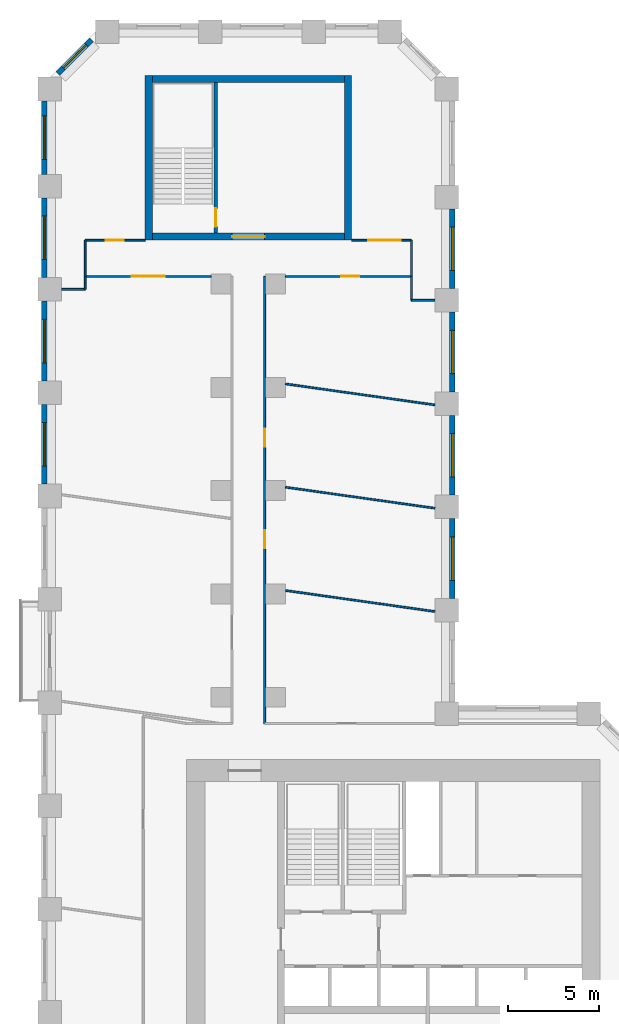
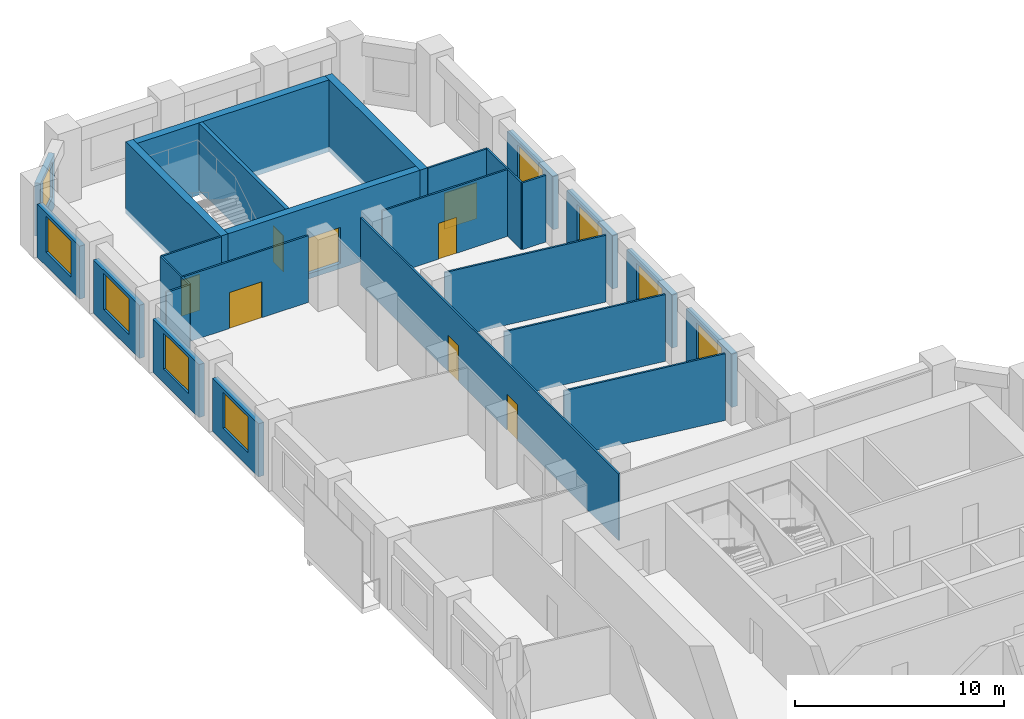
# One storey, part 8 of 10: 28 walls, 9 windows, 8 doors, 17 openings.
"""IFC4 building model written with IfcOpenShell, lengths in metres."""

from ifc_helpers import new_model, si_unit, direction, frame, frame_2d, origin, place, context, subcontext, project, spatial, rectangle, extrude, material, layer, layer_set, type_object, element, fill, save


model = new_model("IFC4")

# Units and contexts
model_context = context("Model", 3, precision=1e-05, world=origin(), true_north=direction((0.0, 1.0)))
body_context = subcontext(model_context, "Body", "Model", "MODEL_VIEW")
ifc_project = project(units=[si_unit("LENGTHUNIT", "METRE"), si_unit("AREAUNIT", "SQUARE_METRE"), si_unit("VOLUMEUNIT", "CUBIC_METRE"), si_unit("PLANEANGLEUNIT", "RADIAN"), si_unit("MASSUNIT", "GRAM", prefix="KILO")], contexts=[model_context])

# Site, building, storey
site_placement = place(None, origin())
site = spatial("IfcSite", under=ifc_project, at=site_placement, CompositionType="ELEMENT")
building_placement = place(site_placement, origin())
building = spatial("IfcBuilding", under=site, at=building_placement, Name="Meshkara Civic Tower", CompositionType="ELEMENT")
storey_placement = place(building_placement, frame((0.0, 0.0, 118.199951171875)))
storey = spatial("IfcBuildingStorey", under=building, at=storey_placement, Name="L26", CompositionType="ELEMENT", Elevation=118.199951171875)

# Wall, opening, door
ifc_material_1 = material(Name="Corridor wall 100")
ifc_layer_1 = layer(ifc_material_1, 0.10009765625)
ifc_layer_set_1 = layer_set([ifc_layer_1], Name="Corridor wall 100")
wall_type_1 = type_object("IfcWallType", Name="Corridor wall 100", PredefinedType="PARTITIONING", material=ifc_layer_set_1)
wall_1_placement = place(storey_placement, frame((2.39990234375, 63.570068359375, 0.0), z_axis=(0.0, 0.0, 1.0), x_axis=(1.0, 0.0, 0.0)))
wall_1 = element("IfcWall", 1, at=wall_1_placement, inside=storey, type_object=wall_type_1, Name="L26-W001", PredefinedType="PARTITIONING", context=body_context, shape_type="SweptSolid", body=[
    extrude(rectangle(XDim=6.9501953125, YDim=0.10009765625, at=frame_2d((3.47509765625, 0.0))), origin(), (0.0, 0.0, 1.0), 3.900146484375),
])
opening_1_placement = place(wall_1_placement, frame((2.580078125, 0.0, 0.0)))
opening_1 = element("IfcOpeningElement", 2, at=opening_1_placement, cuts=wall_1, Name="Opening L26-D022", PredefinedType="OPENING", context=body_context, shape_type="SweptSolid", body=[
    extrude(rectangle(XDim=1.800048828125, YDim=2.10009765625, at=frame_2d((0.89990234375, 1.050048828125))), frame((0.0, 0.06005859375, 0.0), z_axis=(0.0, -1.0, 0.0), x_axis=(1.0, 0.0, 0.0)), (0.0, 0.0, 1.0), 0.1201171875),
])
ifc_material_2 = material(Name="Door pair 1800 x 2100")
door_type_1 = type_object("IfcDoorType", Name="Door pair 1800 x 2100", OperationType="SINGLE_SWING_LEFT", PredefinedType="DOOR", material=ifc_material_2)
door_1_placement = place(opening_1_placement, origin())
door_1 = element("IfcDoor", 3, at=door_1_placement, inside=storey, type_object=door_type_1, Name="L26-D022", OperationType="DOUBLE_DOOR_SINGLE_SWING", OverallHeight=2.10009765625, OverallWidth=1.800048828125, PredefinedType="DOOR", context=body_context, shape_type="SweptSolid", body=[
    extrude(rectangle(XDim=1.800048828125, YDim=2.10009765625, at=frame_2d((0.89990234375, 1.050048828125))), frame((0.0, 0.02490234375, 0.0), z_axis=(0.0, -1.0, 0.0), x_axis=(1.0, 0.0, 0.0)), (0.0, 0.0, 1.0), 0.050048828125),
])
fill(opening_1, door_1)

# Wall
wall_2_placement = place(storey_placement, frame((2.39990234375, 65.570068359375, 0.0), z_axis=(0.0, 0.0, 1.0), x_axis=(0.0, -1.0, 0.0)))
element("IfcWall", 4, at=wall_2_placement, inside=storey, type_object=wall_type_1, Name="L26-W002", PredefinedType="PARTITIONING", context=body_context, shape_type="SweptSolid", body=[
    extrude(rectangle(XDim=2.0, YDim=0.10009765625, at=frame_2d((1.0, 0.0))), origin(), (0.0, 0.0, 1.0), 3.900146484375),
])

# Wall, opening, door
wall_3_placement = place(storey_placement, frame((5.699951171875, 65.570068359375, 0.0), z_axis=(0.0, 0.0, 1.0), x_axis=(-1.0, 0.0, 0.0)))
wall_3 = element("IfcWall", 5, at=wall_3_placement, inside=storey, type_object=wall_type_1, Name="L26-W005", PredefinedType="PARTITIONING", context=body_context, shape_type="SweptSolid", body=[
    extrude(rectangle(XDim=3.300048828125, YDim=0.10009765625, at=frame_2d((1.64990234375, 0.0))), origin(), (0.0, 0.0, 1.0), 3.900146484375),
])
opening_2_placement = place(wall_3_placement, frame((1.179931640625, 0.0, 0.0)))
opening_2 = element("IfcOpeningElement", 6, at=opening_2_placement, cuts=wall_3, Name="Opening L26-D021", PredefinedType="OPENING", context=body_context, shape_type="SweptSolid", body=[
    extrude(rectangle(XDim=1.0, YDim=2.10009765625, at=frame_2d((0.5, 1.050048828125))), frame((0.0, 0.06005859375, 0.0), z_axis=(0.0, -1.0, 0.0), x_axis=(1.0, 0.0, 0.0)), (0.0, 0.0, 1.0), 0.1201171875),
])
ifc_material_3 = material(Name="Door 1000 x 2100")
door_type_2 = type_object("IfcDoorType", Name="Door 1000 x 2100", OperationType="SINGLE_SWING_LEFT", PredefinedType="DOOR", material=ifc_material_3)
door_2_placement = place(opening_2_placement, origin())
door_2 = element("IfcDoor", 7, at=door_2_placement, inside=storey, type_object=door_type_2, Name="L26-D021", OperationType="SINGLE_SWING_LEFT", OverallHeight=2.10009765625, OverallWidth=1.0, PredefinedType="DOOR", context=body_context, shape_type="SweptSolid", body=[
    extrude(rectangle(XDim=1.0, YDim=2.10009765625, at=frame_2d((0.5, 1.050048828125))), frame((0.0, 0.02490234375, 0.0), z_axis=(0.0, -1.0, 0.0), x_axis=(1.0, 0.0, 0.0)), (0.0, 0.0, 1.0), 0.050048828125),
])
fill(opening_2, door_2)

# Wall, openings, doors
wall_4_placement = place(storey_placement, frame((12.300048828125, 38.89990234375, 0.0), z_axis=(0.0, 0.0, 1.0), x_axis=(0.0, 1.0, 0.0)))
wall_4 = element("IfcWall", 8, at=wall_4_placement, inside=storey, type_object=wall_type_1, Name="L26-W014", PredefinedType="PARTITIONING", context=body_context, shape_type="SweptSolid", body=[
    extrude(rectangle(XDim=24.670166015625, YDim=0.10009765625, at=frame_2d((12.3349609375, 0.0))), origin(), (0.0, 0.0, 1.0), 3.900146484375),
])
opening_3_placement = place(wall_4_placement, frame((9.673095703125, 0.0, 0.0)))
opening_3 = element("IfcOpeningElement", 9, at=opening_3_placement, cuts=wall_4, Name="Opening L26-D019", PredefinedType="OPENING", context=body_context, shape_type="SweptSolid", body=[
    extrude(rectangle(XDim=1.0, YDim=2.10009765625, at=frame_2d((0.5, 1.050048828125))), frame((0.0, 0.06005859375, 0.0), z_axis=(0.0, -1.0, 0.0), x_axis=(1.0, 0.0, 0.0)), (0.0, 0.0, 1.0), 0.1201171875),
])
opening_4_placement = place(wall_4_placement, frame((15.27294921875, 0.0, 0.0)))
opening_4 = element("IfcOpeningElement", 10, at=opening_4_placement, cuts=wall_4, Name="Opening L26-D020", PredefinedType="OPENING", context=body_context, shape_type="SweptSolid", body=[
    extrude(rectangle(XDim=1.0, YDim=2.10009765625, at=frame_2d((0.5, 1.050048828125))), frame((0.0, 0.06005859375, 0.0), z_axis=(0.0, -1.0, 0.0), x_axis=(1.0, 0.0, 0.0)), (0.0, 0.0, 1.0), 0.1201171875),
])
door_3_placement = place(opening_3_placement, origin())
door_3 = element("IfcDoor", 11, at=door_3_placement, inside=storey, type_object=door_type_2, Name="L26-D019", OperationType="SINGLE_SWING_RIGHT", OverallHeight=2.10009765625, OverallWidth=1.0, PredefinedType="DOOR", context=body_context, shape_type="SweptSolid", body=[
    extrude(rectangle(XDim=1.0, YDim=2.10009765625, at=frame_2d((0.5, 1.050048828125))), frame((0.0, 0.02490234375, 0.0), z_axis=(0.0, -1.0, 0.0), x_axis=(1.0, 0.0, 0.0)), (0.0, 0.0, 1.0), 0.050048828125),
])
fill(opening_3, door_3)
door_4_placement = place(opening_4_placement, origin())
door_4 = element("IfcDoor", 12, at=door_4_placement, inside=storey, type_object=door_type_2, Name="L26-D020", OperationType="SINGLE_SWING_RIGHT", OverallHeight=2.10009765625, OverallWidth=1.0, PredefinedType="DOOR", context=body_context, shape_type="SweptSolid", body=[
    extrude(rectangle(XDim=1.0, YDim=2.10009765625, at=frame_2d((0.5, 1.050048828125))), frame((0.0, 0.02490234375, 0.0), z_axis=(0.0, -1.0, 0.0), x_axis=(1.0, 0.0, 0.0)), (0.0, 0.0, 1.0), 0.050048828125),
])
fill(opening_4, door_4)

# Wall, opening, door
wall_5_placement = place(storey_placement, frame((13.449951171875, 63.570068359375, 0.0), z_axis=(0.0, 0.0, 1.0), x_axis=(1.0, 0.0, 0.0)))
wall_5 = element("IfcWall", 13, at=wall_5_placement, inside=storey, type_object=wall_type_1, Name="L26-W016", PredefinedType="PARTITIONING", context=body_context, shape_type="SweptSolid", body=[
    extrude(rectangle(XDim=6.949951171875, YDim=0.10009765625, at=frame_2d((3.47509765625, 0.0))), origin(), (0.0, 0.0, 1.0), 3.900146484375),
])
opening_5_placement = place(wall_5_placement, frame((3.080078125, 0.0, 0.0)))
opening_5 = element("IfcOpeningElement", 14, at=opening_5_placement, cuts=wall_5, Name="Opening L26-D023", PredefinedType="OPENING", context=body_context, shape_type="SweptSolid", body=[
    extrude(rectangle(XDim=1.0, YDim=2.10009765625, at=frame_2d((0.5, 1.050048828125))), frame((0.0, 0.06005859375, 0.0), z_axis=(0.0, -1.0, 0.0), x_axis=(1.0, 0.0, 0.0)), (0.0, 0.0, 1.0), 0.1201171875),
])
door_5_placement = place(opening_5_placement, origin())
door_5 = element("IfcDoor", 15, at=door_5_placement, inside=storey, type_object=door_type_2, Name="L26-D023", OperationType="SINGLE_SWING_LEFT", OverallHeight=2.10009765625, OverallWidth=1.0, PredefinedType="DOOR", context=body_context, shape_type="SweptSolid", body=[
    extrude(rectangle(XDim=1.0, YDim=2.10009765625, at=frame_2d((0.5, 1.050048828125))), frame((0.0, 0.02490234375, 0.0), z_axis=(0.0, -1.0, 0.0), x_axis=(1.0, 0.0, 0.0)), (0.0, 0.0, 1.0), 0.050048828125),
])
fill(opening_5, door_5)

# Wall
wall_6_placement = place(storey_placement, frame((20.39990234375, 63.570068359375, 0.0), z_axis=(0.0, 0.0, 1.0), x_axis=(0.0, 1.0, 0.0)))
element("IfcWall", 16, at=wall_6_placement, inside=storey, type_object=wall_type_1, Name="L26-W017", PredefinedType="PARTITIONING", context=body_context, shape_type="SweptSolid", body=[
    extrude(rectangle(XDim=2.0, YDim=0.10009765625, at=frame_2d((1.0, 0.0))), origin(), (0.0, 0.0, 1.0), 3.900146484375),
])

# Wall, opening, door
wall_7_placement = place(storey_placement, frame((20.39990234375, 65.570068359375, 0.0), z_axis=(0.0, 0.0, 1.0), x_axis=(-1.0, 0.0, 0.0)))
wall_7 = element("IfcWall", 17, at=wall_7_placement, inside=storey, type_object=wall_type_1, Name="L26-W018", PredefinedType="PARTITIONING", context=body_context, shape_type="SweptSolid", body=[
    extrude(rectangle(XDim=3.2998046875, YDim=0.10009765625, at=frame_2d((1.64990234375, 0.0))), origin(), (0.0, 0.0, 1.0), 3.900146484375),
])
opening_6_placement = place(wall_7_placement, frame((0.580078125, 0.0, 0.0)))
opening_6 = element("IfcOpeningElement", 18, at=opening_6_placement, cuts=wall_7, Name="Opening L26-D024", PredefinedType="OPENING", context=body_context, shape_type="SweptSolid", body=[
    extrude(rectangle(XDim=1.800048828125, YDim=2.10009765625, at=frame_2d((0.89990234375, 1.050048828125))), frame((0.0, 0.06005859375, 0.0), z_axis=(0.0, -1.0, 0.0), x_axis=(1.0, 0.0, 0.0)), (0.0, 0.0, 1.0), 0.1201171875),
])
door_6_placement = place(opening_6_placement, origin())
door_6 = element("IfcDoor", 19, at=door_6_placement, inside=storey, type_object=door_type_1, Name="L26-D024", OperationType="DOUBLE_DOOR_SINGLE_SWING", OverallHeight=2.10009765625, OverallWidth=1.800048828125, PredefinedType="DOOR", context=body_context, shape_type="SweptSolid", body=[
    extrude(rectangle(XDim=1.800048828125, YDim=2.10009765625, at=frame_2d((0.89990234375, 1.050048828125))), frame((0.0, 0.02490234375, 0.0), z_axis=(0.0, -1.0, 0.0), x_axis=(1.0, 0.0, 0.0)), (0.0, 0.0, 1.0), 0.050048828125),
])
fill(opening_6, door_6)

# Wall, opening, window
ifc_material_4 = material(Name="Insulated infill panel with bronze anodised aluminium cladding", Category="aluminium")
ifc_layer_2 = layer(ifc_material_4, 0.300048828125)
ifc_layer_set_2 = layer_set([ifc_layer_2], Name="EXTERNAL INFILL WALL 300")
wall_type_2 = type_object("IfcWallType", Name="EXTERNAL INFILL WALL 300", PredefinedType="SOLIDWALL", material=ifc_layer_set_2)
wall_8_placement = place(storey_placement, frame((22.64990234375, 45.800048828125, 0.0), z_axis=(0.0, 0.0, 1.0), x_axis=(0.0, 1.0, 0.0)))
wall_8 = element("IfcWall", 20, at=wall_8_placement, inside=storey, type_object=wall_type_2, Name="External wall", PredefinedType="SOLIDWALL", context=body_context, shape_type="SweptSolid", body=[
    extrude(rectangle(XDim=4.39990234375, YDim=0.300048828125, at=frame_2d((2.199951171875, 0.0))), origin(), (0.0, 0.0, 1.0), 3.10009765625),
])
opening_7_placement = place(wall_8_placement, frame((1.0, 0.0, 0.800048828125)))
opening_7 = element("IfcOpeningElement", 21, at=opening_7_placement, cuts=wall_8, Name="Opening W7", PredefinedType="OPENING", context=body_context, shape_type="SweptSolid", body=[
    extrude(rectangle(XDim=2.39990234375, YDim=2.10009765625, at=frame_2d((1.199951171875, 1.050048828125))), frame((0.0, 0.159912109375, 0.0), z_axis=(0.0, -1.0, 0.0), x_axis=(1.0, 0.0, 0.0)), (0.0, 0.0, 1.0), 0.320068359375),
])
ifc_material_5 = material(Name="Tinted double glazing", Category="glass")
window_type_1 = type_object("IfcWindowType", Name="WINDOW 2400x2100", PartitioningType="DOUBLE_PANEL_VERTICAL", PredefinedType="WINDOW", material=ifc_material_5)
window_1_placement = place(opening_7_placement, origin())
window_1 = element("IfcWindow", 22, at=window_1_placement, inside=storey, type_object=window_type_1, Name="Window", OverallHeight=2.10009765625, OverallWidth=2.39990234375, PartitioningType="DOUBLE_PANEL_VERTICAL", PredefinedType="WINDOW", context=body_context, shape_type="SweptSolid", body=[
    extrude(rectangle(XDim=2.39990234375, YDim=2.10009765625, at=frame_2d((1.199951171875, 1.050048828125))), frame((0.0, 0.030029296875, 0.0), z_axis=(0.0, -1.0, 0.0), x_axis=(1.0, 0.0, 0.0)), (0.0, 0.0, 1.0), 0.06005859375),
])
fill(opening_7, window_1)

wall_9_placement = place(storey_placement, frame((22.64990234375, 51.5, 0.0), z_axis=(0.0, 0.0, 1.0), x_axis=(0.0, 1.0, 0.0)))
wall_9 = element("IfcWall", 23, at=wall_9_placement, inside=storey, type_object=wall_type_2, Name="External wall", PredefinedType="SOLIDWALL", context=body_context, shape_type="SweptSolid", body=[
    extrude(rectangle(XDim=4.39990234375, YDim=0.300048828125, at=frame_2d((2.199951171875, 0.0))), origin(), (0.0, 0.0, 1.0), 3.10009765625),
])
opening_8_placement = place(wall_9_placement, frame((1.0, 0.0, 0.800048828125)))
opening_8 = element("IfcOpeningElement", 24, at=opening_8_placement, cuts=wall_9, Name="Opening W7", PredefinedType="OPENING", context=body_context, shape_type="SweptSolid", body=[
    extrude(rectangle(XDim=2.39990234375, YDim=2.10009765625, at=frame_2d((1.199951171875, 1.050048828125))), frame((0.0, 0.159912109375, 0.0), z_axis=(0.0, -1.0, 0.0), x_axis=(1.0, 0.0, 0.0)), (0.0, 0.0, 1.0), 0.320068359375),
])
window_2_placement = place(opening_8_placement, origin())
window_2 = element("IfcWindow", 25, at=window_2_placement, inside=storey, type_object=window_type_1, Name="Window", OverallHeight=2.10009765625, OverallWidth=2.39990234375, PartitioningType="DOUBLE_PANEL_VERTICAL", PredefinedType="WINDOW", context=body_context, shape_type="SweptSolid", body=[
    extrude(rectangle(XDim=2.39990234375, YDim=2.10009765625, at=frame_2d((1.199951171875, 1.050048828125))), frame((0.0, 0.030029296875, 0.0), z_axis=(0.0, -1.0, 0.0), x_axis=(1.0, 0.0, 0.0)), (0.0, 0.0, 1.0), 0.06005859375),
])
fill(opening_8, window_2)

wall_10_placement = place(storey_placement, frame((22.64990234375, 57.199951171875, 0.0), z_axis=(0.0, 0.0, 1.0), x_axis=(0.0, 1.0, 0.0)))
wall_10 = element("IfcWall", 26, at=wall_10_placement, inside=storey, type_object=wall_type_2, Name="External wall", PredefinedType="SOLIDWALL", context=body_context, shape_type="SweptSolid", body=[
    extrude(rectangle(XDim=4.400146484375, YDim=0.300048828125, at=frame_2d((2.2001953125, 0.0))), origin(), (0.0, 0.0, 1.0), 3.10009765625),
])
opening_9_placement = place(wall_10_placement, frame((1.0, 0.0, 0.800048828125)))
opening_9 = element("IfcOpeningElement", 27, at=opening_9_placement, cuts=wall_10, Name="Opening W7", PredefinedType="OPENING", context=body_context, shape_type="SweptSolid", body=[
    extrude(rectangle(XDim=2.39990234375, YDim=2.10009765625, at=frame_2d((1.199951171875, 1.050048828125))), frame((0.0, 0.159912109375, 0.0), z_axis=(0.0, -1.0, 0.0), x_axis=(1.0, 0.0, 0.0)), (0.0, 0.0, 1.0), 0.320068359375),
])
window_3_placement = place(opening_9_placement, origin())
window_3 = element("IfcWindow", 28, at=window_3_placement, inside=storey, type_object=window_type_1, Name="Window", OverallHeight=2.10009765625, OverallWidth=2.39990234375, PartitioningType="DOUBLE_PANEL_VERTICAL", PredefinedType="WINDOW", context=body_context, shape_type="SweptSolid", body=[
    extrude(rectangle(XDim=2.39990234375, YDim=2.10009765625, at=frame_2d((1.199951171875, 1.050048828125))), frame((0.0, 0.030029296875, 0.0), z_axis=(0.0, -1.0, 0.0), x_axis=(1.0, 0.0, 0.0)), (0.0, 0.0, 1.0), 0.06005859375),
])
fill(opening_9, window_3)

wall_11_placement = place(storey_placement, frame((22.64990234375, 62.89990234375, 0.0), z_axis=(0.0, 0.0, 1.0), x_axis=(0.0, 1.0, 0.0)))
wall_11 = element("IfcWall", 29, at=wall_11_placement, inside=storey, type_object=wall_type_2, Name="External wall", PredefinedType="SOLIDWALL", context=body_context, shape_type="SweptSolid", body=[
    extrude(rectangle(XDim=4.400146484375, YDim=0.300048828125, at=frame_2d((2.2001953125, 0.0))), origin(), (0.0, 0.0, 1.0), 3.10009765625),
])
opening_10_placement = place(wall_11_placement, frame((1.0, 0.0, 0.800048828125)))
opening_10 = element("IfcOpeningElement", 30, at=opening_10_placement, cuts=wall_11, Name="Opening W7", PredefinedType="OPENING", context=body_context, shape_type="SweptSolid", body=[
    extrude(rectangle(XDim=2.39990234375, YDim=2.10009765625, at=frame_2d((1.199951171875, 1.050048828125))), frame((0.0, 0.159912109375, 0.0), z_axis=(0.0, -1.0, 0.0), x_axis=(1.0, 0.0, 0.0)), (0.0, 0.0, 1.0), 0.320068359375),
])
window_4_placement = place(opening_10_placement, origin())
window_4 = element("IfcWindow", 31, at=window_4_placement, inside=storey, type_object=window_type_1, Name="Window", OverallHeight=2.10009765625, OverallWidth=2.39990234375, PartitioningType="DOUBLE_PANEL_VERTICAL", PredefinedType="WINDOW", context=body_context, shape_type="SweptSolid", body=[
    extrude(rectangle(XDim=2.39990234375, YDim=2.10009765625, at=frame_2d((1.199951171875, 1.050048828125))), frame((0.0, 0.030029296875, 0.0), z_axis=(0.0, -1.0, 0.0), x_axis=(1.0, 0.0, 0.0)), (0.0, 0.0, 1.0), 0.06005859375),
])
fill(opening_10, window_4)

wall_12_placement = place(storey_placement, frame((2.743896484375, 76.632080078125, 0.0), z_axis=(0.0, 0.0, 1.0), x_axis=(-0.707060274772, -0.707153284542, 0.0)))
wall_12 = element("IfcWall", 32, at=wall_12_placement, inside=storey, type_object=wall_type_2, Name="External wall", PredefinedType="SOLIDWALL", context=body_context, shape_type="SweptSolid", body=[
    extrude(rectangle(XDim=2.625, YDim=0.300048828125, at=frame_2d((1.3125, 0.0))), origin(), (0.0, 0.0, 1.0), 3.10009765625),
])
opening_11_placement = place(wall_12_placement, frame((0.412109375, 0.0, 0.800048828125)))
opening_11 = element("IfcOpeningElement", 33, at=opening_11_placement, cuts=wall_12, Name="Opening W9", PredefinedType="OPENING", context=body_context, shape_type="SweptSolid", body=[
    extrude(rectangle(XDim=1.800048828125, YDim=2.10009765625, at=frame_2d((0.89990234375, 1.050048828125))), frame((0.0, 0.159912109375, 0.0), z_axis=(0.0, -1.0, 0.0), x_axis=(1.0, 0.0, 0.0)), (0.0, 0.0, 1.0), 0.320068359375),
])
ifc_material_6 = material(Name="Tinted double glazing", Category="glass")
window_type_2 = type_object("IfcWindowType", Name="WINDOW 1800x2100", PartitioningType="DOUBLE_PANEL_VERTICAL", PredefinedType="WINDOW", material=ifc_material_6)
window_5_placement = place(opening_11_placement, origin())
window_5 = element("IfcWindow", 34, at=window_5_placement, inside=storey, type_object=window_type_2, Name="Window", OverallHeight=2.10009765625, OverallWidth=1.800048828125, PartitioningType="DOUBLE_PANEL_VERTICAL", PredefinedType="WINDOW", context=body_context, shape_type="SweptSolid", body=[
    extrude(rectangle(XDim=1.800048828125, YDim=2.10009765625, at=frame_2d((0.89990234375, 1.050048828125))), frame((0.0, 0.030029296875, 0.0), z_axis=(0.0, -1.0, 0.0), x_axis=(1.0, 0.0, 0.0)), (0.0, 0.0, 1.0), 0.06005859375),
])
fill(opening_11, window_5)

wall_13_placement = place(storey_placement, frame((0.14990234375, 73.263916015625, 0.0), z_axis=(0.0, 0.0, 1.0), x_axis=(0.0, -1.0, 0.0)))
wall_13 = element("IfcWall", 35, at=wall_13_placement, inside=storey, type_object=wall_type_2, Name="External wall", PredefinedType="SOLIDWALL", context=body_context, shape_type="SweptSolid", body=[
    extrude(rectangle(XDim=4.058837890625, YDim=0.300048828125, at=frame_2d((2.029296875, 0.0))), origin(), (0.0, 0.0, 1.0), 3.10009765625),
])
opening_12_placement = place(wall_13_placement, frame((0.8291015625, 0.0, 0.800048828125)))
opening_12 = element("IfcOpeningElement", 36, at=opening_12_placement, cuts=wall_13, Name="Opening W7", PredefinedType="OPENING", context=body_context, shape_type="SweptSolid", body=[
    extrude(rectangle(XDim=2.39990234375, YDim=2.10009765625, at=frame_2d((1.199951171875, 1.050048828125))), frame((0.0, 0.159912109375, 0.0), z_axis=(0.0, -1.0, 0.0), x_axis=(1.0, 0.0, 0.0)), (0.0, 0.0, 1.0), 0.320068359375),
])
window_6_placement = place(opening_12_placement, origin())
window_6 = element("IfcWindow", 37, at=window_6_placement, inside=storey, type_object=window_type_1, Name="Window", OverallHeight=2.10009765625, OverallWidth=2.39990234375, PartitioningType="DOUBLE_PANEL_VERTICAL", PredefinedType="WINDOW", context=body_context, shape_type="SweptSolid", body=[
    extrude(rectangle(XDim=2.39990234375, YDim=2.10009765625, at=frame_2d((1.199951171875, 1.050048828125))), frame((0.0, 0.030029296875, 0.0), z_axis=(0.0, -1.0, 0.0), x_axis=(1.0, 0.0, 0.0)), (0.0, 0.0, 1.0), 0.06005859375),
])
fill(opening_12, window_6)

wall_14_placement = place(storey_placement, frame((0.14990234375, 67.905029296875, 0.0), z_axis=(0.0, 0.0, 1.0), x_axis=(0.0, -1.0, 0.0)))
wall_14 = element("IfcWall", 38, at=wall_14_placement, inside=storey, type_object=wall_type_2, Name="External wall", PredefinedType="SOLIDWALL", context=body_context, shape_type="SweptSolid", body=[
    extrude(rectangle(XDim=4.400146484375, YDim=0.300048828125, at=frame_2d((2.2001953125, 0.0))), origin(), (0.0, 0.0, 1.0), 3.10009765625),
])
opening_13_placement = place(wall_14_placement, frame((1.0, 0.0, 0.800048828125)))
opening_13 = element("IfcOpeningElement", 39, at=opening_13_placement, cuts=wall_14, Name="Opening W7", PredefinedType="OPENING", context=body_context, shape_type="SweptSolid", body=[
    extrude(rectangle(XDim=2.39990234375, YDim=2.10009765625, at=frame_2d((1.199951171875, 1.050048828125))), frame((0.0, 0.159912109375, 0.0), z_axis=(0.0, -1.0, 0.0), x_axis=(1.0, 0.0, 0.0)), (0.0, 0.0, 1.0), 0.320068359375),
])
window_7_placement = place(opening_13_placement, origin())
window_7 = element("IfcWindow", 40, at=window_7_placement, inside=storey, type_object=window_type_1, Name="Window", OverallHeight=2.10009765625, OverallWidth=2.39990234375, PartitioningType="DOUBLE_PANEL_VERTICAL", PredefinedType="WINDOW", context=body_context, shape_type="SweptSolid", body=[
    extrude(rectangle(XDim=2.39990234375, YDim=2.10009765625, at=frame_2d((1.199951171875, 1.050048828125))), frame((0.0, 0.030029296875, 0.0), z_axis=(0.0, -1.0, 0.0), x_axis=(1.0, 0.0, 0.0)), (0.0, 0.0, 1.0), 0.06005859375),
])
fill(opening_13, window_7)

wall_15_placement = place(storey_placement, frame((0.14990234375, 62.205078125, 0.0), z_axis=(0.0, 0.0, 1.0), x_axis=(0.0, -1.0, 0.0)))
wall_15 = element("IfcWall", 41, at=wall_15_placement, inside=storey, type_object=wall_type_2, Name="External wall", PredefinedType="SOLIDWALL", context=body_context, shape_type="SweptSolid", body=[
    extrude(rectangle(XDim=4.400146484375, YDim=0.300048828125, at=frame_2d((2.2001953125, 0.0))), origin(), (0.0, 0.0, 1.0), 3.10009765625),
])
opening_14_placement = place(wall_15_placement, frame((1.0, 0.0, 0.800048828125)))
opening_14 = element("IfcOpeningElement", 42, at=opening_14_placement, cuts=wall_15, Name="Opening W7", PredefinedType="OPENING", context=body_context, shape_type="SweptSolid", body=[
    extrude(rectangle(XDim=2.39990234375, YDim=2.10009765625, at=frame_2d((1.199951171875, 1.050048828125))), frame((0.0, 0.159912109375, 0.0), z_axis=(0.0, -1.0, 0.0), x_axis=(1.0, 0.0, 0.0)), (0.0, 0.0, 1.0), 0.320068359375),
])
window_8_placement = place(opening_14_placement, origin())
window_8 = element("IfcWindow", 43, at=window_8_placement, inside=storey, type_object=window_type_1, Name="Window", OverallHeight=2.10009765625, OverallWidth=2.39990234375, PartitioningType="DOUBLE_PANEL_VERTICAL", PredefinedType="WINDOW", context=body_context, shape_type="SweptSolid", body=[
    extrude(rectangle(XDim=2.39990234375, YDim=2.10009765625, at=frame_2d((1.199951171875, 1.050048828125))), frame((0.0, 0.030029296875, 0.0), z_axis=(0.0, -1.0, 0.0), x_axis=(1.0, 0.0, 0.0)), (0.0, 0.0, 1.0), 0.06005859375),
])
fill(opening_14, window_8)

wall_16_placement = place(storey_placement, frame((0.14990234375, 56.5048828125, 0.0), z_axis=(0.0, 0.0, 1.0), x_axis=(0.0, -1.0, 0.0)))
wall_16 = element("IfcWall", 44, at=wall_16_placement, inside=storey, type_object=wall_type_2, Name="External wall", PredefinedType="SOLIDWALL", context=body_context, shape_type="SweptSolid", body=[
    extrude(rectangle(XDim=4.39990234375, YDim=0.300048828125, at=frame_2d((2.199951171875, 0.0))), origin(), (0.0, 0.0, 1.0), 3.10009765625),
])
opening_15_placement = place(wall_16_placement, frame((1.0, 0.0, 0.800048828125)))
opening_15 = element("IfcOpeningElement", 45, at=opening_15_placement, cuts=wall_16, Name="Opening W7", PredefinedType="OPENING", context=body_context, shape_type="SweptSolid", body=[
    extrude(rectangle(XDim=2.39990234375, YDim=2.10009765625, at=frame_2d((1.199951171875, 1.050048828125))), frame((0.0, 0.159912109375, 0.0), z_axis=(0.0, -1.0, 0.0), x_axis=(1.0, 0.0, 0.0)), (0.0, 0.0, 1.0), 0.320068359375),
])
window_9_placement = place(opening_15_placement, origin())
window_9 = element("IfcWindow", 46, at=window_9_placement, inside=storey, type_object=window_type_1, Name="Window", OverallHeight=2.10009765625, OverallWidth=2.39990234375, PartitioningType="DOUBLE_PANEL_VERTICAL", PredefinedType="WINDOW", context=body_context, shape_type="SweptSolid", body=[
    extrude(rectangle(XDim=2.39990234375, YDim=2.10009765625, at=frame_2d((1.199951171875, 1.050048828125))), frame((0.0, 0.030029296875, 0.0), z_axis=(0.0, -1.0, 0.0), x_axis=(1.0, 0.0, 0.0)), (0.0, 0.0, 1.0), 0.06005859375),
])
fill(opening_15, window_9)

# Walls
ifc_material_7 = material(Name="Concrete C70", Category="concrete")
ifc_layer_3 = layer(ifc_material_7, 0.39990234375)
ifc_layer_set_3 = layer_set([ifc_layer_3], Name="End core ring wall 400 C70")
wall_type_3 = type_object("IfcWallType", Name="End core ring wall 400 C70", PredefinedType="SHEAR", material=ifc_layer_set_3)
for number, where, z_axis, x_axis, name in (
    (47, (5.89990234375, 65.570068359375, -0.300048828125), (0.0, 0.0, 1.0), (0.0, 1.0, 0.0), "L26-C026"),
    (48, (16.89990234375, 65.570068359375, -0.300048828125), (0.0, 0.0, 1.0), (0.0, 1.0, 0.0), "L26-C027"),
):
    element("IfcWall", number, at=place(storey_placement, frame(where, z_axis=z_axis, x_axis=x_axis)), inside=storey, type_object=wall_type_3, Name=name, PredefinedType="SHEAR", context=body_context, shape_type="SweptSolid", body=[
        extrude(rectangle(XDim=9.099853515625, YDim=0.39990234375, at=frame_2d((4.5498046875, 0.0))), origin(), (0.0, 0.0, 1.0), 4.2001953125),
    ])

# Wall, opening, door
wall_17_placement = place(storey_placement, frame((6.10009765625, 65.77001953125, -0.300048828125), z_axis=(0.0, 0.0, 1.0), x_axis=(1.0, 0.0, 0.0)))
wall_17 = element("IfcWall", 49, at=wall_17_placement, inside=storey, type_object=wall_type_3, Name="L26-C028", PredefinedType="SHEAR", context=body_context, shape_type="SweptSolid", body=[
    extrude(rectangle(XDim=10.599853515625, YDim=0.39990234375, at=frame_2d((5.2998046875, 0.0))), origin(), (0.0, 0.0, 1.0), 4.2001953125),
])
opening_16_placement = place(wall_17_placement, frame((4.39990234375, 0.0, 0.300048828125)))
opening_16 = element("IfcOpeningElement", 50, at=opening_16_placement, cuts=wall_17, Name="Opening L26-K102", PredefinedType="OPENING", context=body_context, shape_type="SweptSolid", body=[
    extrude(rectangle(XDim=1.800048828125, YDim=2.10009765625, at=frame_2d((0.89990234375, 1.050048828125))), frame((0.0, 0.2099609375, 0.0), z_axis=(0.0, -1.0, 0.0), x_axis=(1.0, 0.0, 0.0)), (0.0, 0.0, 1.0), 0.419921875),
])
ifc_material_8 = material(Name="Fire-rated door leaf in steel frame", Category="steel")
door_type_3 = type_object("IfcDoorType", Name="Core double door 1800 EI 60", OperationType="DOUBLE_DOOR_SINGLE_SWING", PredefinedType="DOOR", material=ifc_material_8)
door_7_placement = place(opening_16_placement, origin())
door_7 = element("IfcDoor", 51, at=door_7_placement, inside=storey, type_object=door_type_3, Name="L26-K102", OperationType="DOUBLE_DOOR_SINGLE_SWING", OverallHeight=2.10009765625, OverallWidth=1.800048828125, PredefinedType="DOOR", context=body_context, shape_type="SweptSolid", body=[
    extrude(rectangle(XDim=1.800048828125, YDim=2.10009765625, at=frame_2d((0.89990234375, 1.050048828125))), frame((0.0, 0.02490234375, 0.0), z_axis=(0.0, -1.0, 0.0), x_axis=(1.0, 0.0, 0.0)), (0.0, 0.0, 1.0), 0.050048828125),
])
fill(opening_16, door_7)

# Walls
wall_18_placement = place(storey_placement, frame((6.10009765625, 74.469970703125, -0.300048828125), z_axis=(0.0, 0.0, 1.0), x_axis=(1.0, 0.0, 0.0)))
element("IfcWall", 52, at=wall_18_placement, inside=storey, type_object=wall_type_3, Name="L26-C029", PredefinedType="SHEAR", context=body_context, shape_type="SweptSolid", body=[
    extrude(rectangle(XDim=10.599853515625, YDim=0.39990234375, at=frame_2d((5.2998046875, 0.0))), origin(), (0.0, 0.0, 1.0), 4.2001953125),
])
ifc_material_9 = material(Name="Partition 100")
ifc_layer_4 = layer(ifc_material_9, 0.10009765625)
ifc_layer_set_4 = layer_set([ifc_layer_4], Name="Partition 100")
wall_type_4 = type_object("IfcWallType", Name="Partition 100", PredefinedType="PARTITIONING", material=ifc_layer_set_4)
wall_19_placement = place(storey_placement, frame((2.39990234375, 62.85498046875, 0.0), z_axis=(0.0, 0.0, 1.0), x_axis=(-1.0, 0.0, 0.0)))
element("IfcWall", 53, at=wall_19_placement, inside=storey, type_object=wall_type_4, Name="L26-W030", PredefinedType="PARTITIONING", context=body_context, shape_type="SweptSolid", body=[
    extrude(rectangle(XDim=1.2998046875, YDim=0.10009765625, at=frame_2d((0.64990234375, 0.0))), origin(), (0.0, 0.0, 1.0), 3.900146484375),
])
wall_20_placement = place(storey_placement, frame((2.39990234375, 63.573974609375, 0.0), z_axis=(0.0, 0.0, 1.0), x_axis=(0.0, -1.0, 0.0)))
element("IfcWall", 54, at=wall_20_placement, inside=storey, type_object=wall_type_4, Name="L26-W031", PredefinedType="PARTITIONING", context=body_context, shape_type="SweptSolid", body=[
    extrude(rectangle(XDim=0.718994140625, YDim=0.10009765625, at=frame_2d((0.359375, 0.0))), origin(), (0.0, 0.0, 1.0), 3.900146484375),
])
wall_21_placement = place(storey_placement, frame((20.39990234375, 62.25, 0.0), z_axis=(0.0, 0.0, 1.0), x_axis=(0.0, 1.0, 0.0)))
element("IfcWall", 55, at=wall_21_placement, inside=storey, type_object=wall_type_4, Name="L26-W037", PredefinedType="PARTITIONING", context=body_context, shape_type="SweptSolid", body=[
    extrude(rectangle(XDim=1.323974609375, YDim=0.10009765625, at=frame_2d((0.662109375, 0.0))), origin(), (0.0, 0.0, 1.0), 3.900146484375),
])
for number, where, z_axis, x_axis, name in (
    (56, (21.699951171875, 45.0791015625, 0.0), (0.0, 0.0, 1.0), (-0.990260619465, 0.139226095025, 0.0), "L26-W039"),
    (57, (21.699951171875, 50.779052734375, 0.0), (0.0, 0.0, 1.0), (-0.990260619465, 0.139226095025, 0.0), "L26-W040"),
    (58, (21.699951171875, 56.47900390625, 0.0), (0.0, 0.0, 1.0), (-0.990260619465, 0.139226095025, 0.0), "L26-W041"),
):
    element("IfcWall", number, at=place(storey_placement, frame(where, z_axis=z_axis, x_axis=x_axis)), inside=storey, type_object=wall_type_4, Name=name, PredefinedType="PARTITIONING", context=body_context, shape_type="SweptSolid", body=[
        extrude(rectangle(XDim=8.3310546875, YDim=0.10009765625, at=frame_2d((4.16552734375, 0.0))), origin(), (0.0, 0.0, 1.0), 3.900146484375),
    ])
wall_22_placement = place(storey_placement, frame((21.699951171875, 62.25, 0.0), z_axis=(0.0, 0.0, 1.0), x_axis=(-1.0, 0.0, 0.0)))
element("IfcWall", 59, at=wall_22_placement, inside=storey, type_object=wall_type_4, Name="L26-W042", PredefinedType="PARTITIONING", context=body_context, shape_type="SweptSolid", body=[
    extrude(rectangle(XDim=1.300048828125, YDim=0.10009765625, at=frame_2d((0.64990234375, 0.0))), origin(), (0.0, 0.0, 1.0), 3.900146484375),
])

# Wall, opening, door
ifc_material_10 = material(Name="Concrete C40/50", Category="concrete")
ifc_layer_5 = layer(ifc_material_10, 0.199951171875)
ifc_layer_set_5 = layer_set([ifc_layer_5], Name="Stair enclosure wall 200 C40/50")
wall_type_5 = type_object("IfcWallType", Name="Stair enclosure wall 200 C40/50", PredefinedType="SOLIDWALL", material=ifc_layer_set_5)
wall_23_placement = place(storey_placement, frame((9.60009765625, 65.969970703125, 0.0), z_axis=(0.0, 0.0, 1.0), x_axis=(0.0, 1.0, 0.0)))
wall_23 = element("IfcWall", 60, at=wall_23_placement, inside=storey, type_object=wall_type_5, Name="L26-C030", PredefinedType="SOLIDWALL", context=body_context, shape_type="SweptSolid", body=[
    extrude(rectangle(XDim=8.300048828125, YDim=0.199951171875, at=frame_2d((4.14990234375, 0.0))), origin(), (0.0, 0.0, 1.0), 3.900146484375),
])
opening_17_placement = place(wall_23_placement, frame((0.35009765625, 0.0, 0.0)))
opening_17 = element("IfcOpeningElement", 61, at=opening_17_placement, cuts=wall_23, Name="Opening L26-K101", PredefinedType="OPENING", context=body_context, shape_type="SweptSolid", body=[
    extrude(rectangle(XDim=1.0, YDim=2.10009765625, at=frame_2d((0.5, 1.050048828125))), frame((0.0, 0.10986328125, 0.0), z_axis=(0.0, -1.0, 0.0), x_axis=(1.0, 0.0, 0.0)), (0.0, 0.0, 1.0), 0.219970703125),
])
ifc_material_11 = material(Name="Fire-rated door leaf in steel frame", Category="steel")
door_type_4 = type_object("IfcDoorType", Name="Stair door 1000 EI 120", OperationType="SINGLE_SWING_LEFT", PredefinedType="DOOR", material=ifc_material_11)
door_8_placement = place(opening_17_placement, origin())
door_8 = element("IfcDoor", 62, at=door_8_placement, inside=storey, type_object=door_type_4, Name="L26-K101", OperationType="SINGLE_SWING_RIGHT", OverallHeight=2.10009765625, OverallWidth=1.0, PredefinedType="DOOR", context=body_context, shape_type="SweptSolid", body=[
    extrude(rectangle(XDim=1.0, YDim=2.10009765625, at=frame_2d((0.5, 1.050048828125))), frame((0.0, 0.02490234375, 0.0), z_axis=(0.0, -1.0, 0.0), x_axis=(1.0, 0.0, 0.0)), (0.0, 0.0, 1.0), 0.050048828125),
])
fill(opening_17, door_8)

save(model, "model.ifc")
